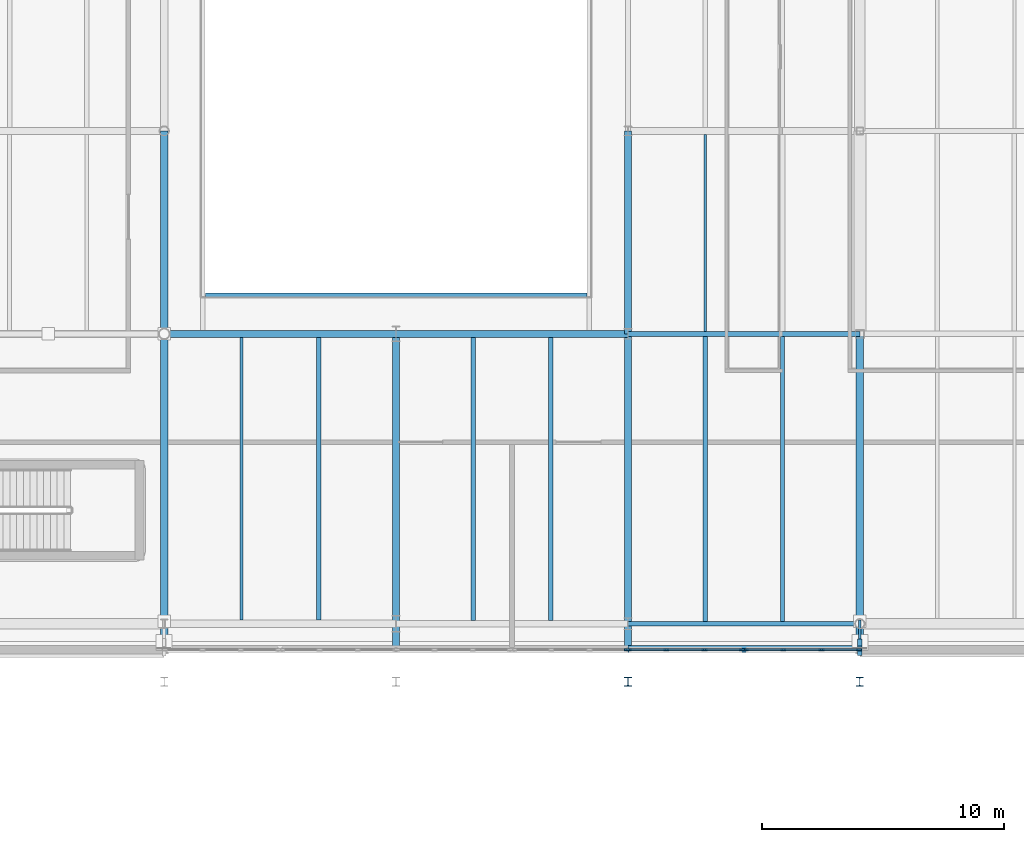
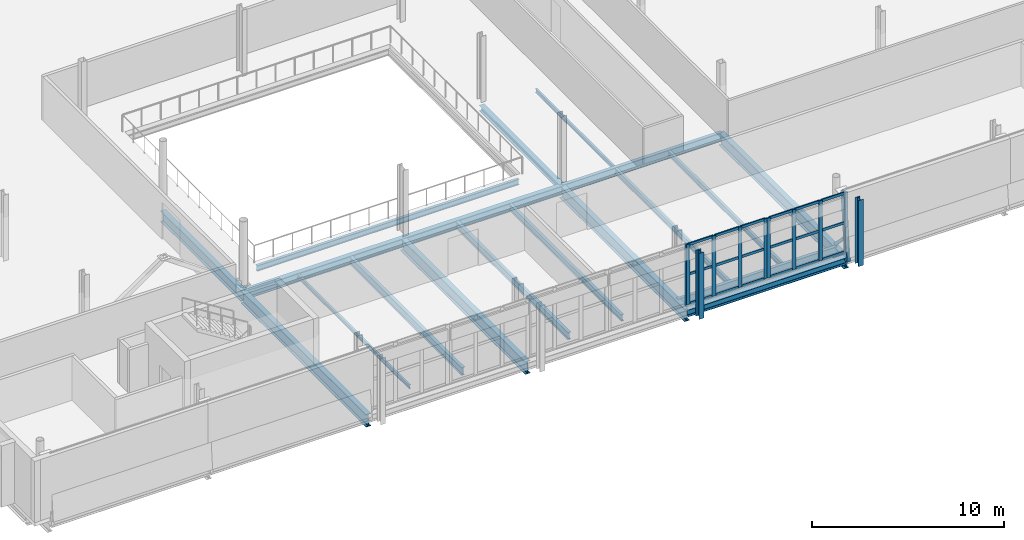
# One storey, part 20 of 57: 31 members, 19 beams, 3 elements without a shape of their own.
"""IFC4 building model written with IfcOpenShell, lengths in metres."""

from ifc_helpers import new_model, si_unit, direction, frame, origin, origin_2d, place, context, subcontext, project, spatial, rectangle, hollow_rectangle, i_section, extrude, material, layer, layer_set, material_profile, profile_set, type_object, element, aggregate, save


model = new_model("IFC4")

# Units and contexts
model_context = context("Model", 3, precision=1e-05, world=origin(), true_north=direction((0.0, 1.0)))
body_context = subcontext(model_context, "Body", "Model", "MODEL_VIEW")
ifc_project = project(units=[si_unit("LENGTHUNIT", "METRE"), si_unit("AREAUNIT", "SQUARE_METRE"), si_unit("VOLUMEUNIT", "CUBIC_METRE"), si_unit("PLANEANGLEUNIT", "RADIAN"), si_unit("MASSUNIT", "GRAM", prefix="KILO")], contexts=[model_context])

# Site, building, storey
site_placement = place(None, origin())
site = spatial("IfcSite", under=ifc_project, at=site_placement, CompositionType="ELEMENT")
building_placement = place(site_placement, origin())
building = spatial("IfcBuilding", under=site, at=building_placement, Name="Zereglee Splitstone Museum", CompositionType="ELEMENT")
storey_placement = place(building_placement, frame((0.0, 0.0, 17.10009765625)))
storey = spatial("IfcBuildingStorey", under=building, at=storey_placement, Name="L03", CompositionType="ELEMENT", Elevation=17.10009765625)

# Curtain wall, member
ifc_material_1 = material(Name="Triple-glazed low-E argon glass and bronze-anodised aluminium", Category="aluminium")
ifc_layer_1 = layer(ifc_material_1, 0.219970703125)
ifc_layer_set_1 = layer_set([ifc_layer_1], Name="Triple-glazed low-E argon glass and bronze-anodised aluminium")
curtain_wall_type_1 = type_object("IfcCurtainWallType", Name="CW-0476-388", PredefinedType="USERDEFINED", material=ifc_layer_set_1)
curtain_wall_1_placement = place(storey_placement, origin())
curtain_wall_1 = element("IfcCurtainWall", 1, at=curtain_wall_1_placement, inside=storey, type_object=curtain_wall_type_1, Name="Glazed Curtain Wall CW-0476-388 (L03)", ObjectType="GLAZED CURTAIN WALL", PredefinedType="USERDEFINED")
ifc_material_2 = material(Name="Thermally broken bronze-anodised aluminium", Category="aluminium")
ifc_material_profile_1 = material_profile(ifc_material_2, rectangle(XDim=0.074951171875, YDim=0.219970703125, at=origin_2d()), Name="CW MULL 75x220")
ifc_profile_set_1 = profile_set([ifc_material_profile_1], Name="Thermally broken bronze-anodised aluminium")
member_type_1 = type_object("IfcMemberType", Name="CWM-02", PredefinedType="MULLION", material=ifc_profile_set_1)
member_1_placement = place(storey_placement, frame((116.362548828125, 8.52001953125, 0.0), z_axis=(0.0, 0.0, 1.0), x_axis=(0.0, 1.0, 0.0)))
member_1 = element("IfcMember", 2, at=member_1_placement, type_object=member_type_1, Name="CW-0476-388 mullion 4", PredefinedType="MULLION", context=body_context, shape_type="SweptSolid", body=[
    extrude(rectangle(XDim=0.074951171875, YDim=0.219970703125, at=origin_2d()), origin(), (0.0, 0.0, 1.0), 3.8798828125),
])
aggregate(curtain_wall_1, [member_1])

# Curtain wall, members
ifc_layer_2 = layer(ifc_material_1, 0.219970703125)
ifc_layer_set_2 = layer_set([ifc_layer_2], Name="Triple-glazed low-E argon glass and bronze-anodised aluminium")
curtain_wall_type_2 = type_object("IfcCurtainWallType", Name="CW-0476-384", PredefinedType="USERDEFINED", material=ifc_layer_set_2)
curtain_wall_2_placement = place(storey_placement, origin())
curtain_wall_2 = element("IfcCurtainWall", 3, at=curtain_wall_2_placement, inside=storey, type_object=curtain_wall_type_2, Name="Glazed Curtain Wall CW-0476-384 (L03)", ObjectType="GLAZED CURTAIN WALL", PredefinedType="USERDEFINED")
member_2_placement = place(storey_placement, frame((116.4375, 8.52001953125, 0.0), z_axis=(0.0, 0.0, 1.0), x_axis=(0.0, 1.0, 0.0)))
member_2 = element("IfcMember", 4, at=member_2_placement, type_object=member_type_1, Name="CW-0476-384 mullion 1", PredefinedType="MULLION", context=body_context, shape_type="SweptSolid", body=[
    extrude(rectangle(XDim=0.074951171875, YDim=0.219970703125, at=origin_2d()), origin(), (0.0, 0.0, 1.0), 3.83984375),
])
member_3_placement = place(storey_placement, frame((117.986572265625, 8.52001953125, 0.0), z_axis=(0.0, 0.0, 1.0), x_axis=(0.0, 1.0, 0.0)))
member_3 = element("IfcMember", 5, at=member_3_placement, type_object=member_type_1, Name="CW-0476-384 mullion 2", PredefinedType="MULLION", context=body_context, shape_type="SweptSolid", body=[
    extrude(rectangle(XDim=0.074951171875, YDim=0.219970703125, at=origin_2d()), origin(), (0.0, 0.0, 1.0), 3.83984375),
])
member_4_placement = place(storey_placement, frame((119.5732421875, 8.52001953125, 0.0), z_axis=(0.0, 0.0, 1.0), x_axis=(0.0, 1.0, 0.0)))
member_4 = element("IfcMember", 6, at=member_4_placement, type_object=member_type_1, Name="CW-0476-384 mullion 3", PredefinedType="MULLION", context=body_context, shape_type="SweptSolid", body=[
    extrude(rectangle(XDim=0.074951171875, YDim=0.219970703125, at=origin_2d()), origin(), (0.0, 0.0, 1.0), 3.83984375),
])
member_5_placement = place(storey_placement, frame((121.12255859375, 8.52001953125, 0.0), z_axis=(0.0, 0.0, 1.0), x_axis=(0.0, 1.0, 0.0)))
member_5 = element("IfcMember", 7, at=member_5_placement, type_object=member_type_1, Name="CW-0476-384 mullion 4", PredefinedType="MULLION", context=body_context, shape_type="SweptSolid", body=[
    extrude(rectangle(XDim=0.074951171875, YDim=0.219970703125, at=origin_2d()), origin(), (0.0, 0.0, 1.0), 3.83984375),
])

ifc_layer_3 = layer(ifc_material_1, 0.219970703125)
ifc_layer_set_3 = layer_set([ifc_layer_3], Name="Triple-glazed low-E argon glass and bronze-anodised aluminium")
curtain_wall_type_3 = type_object("IfcCurtainWallType", Name="CW-0476-382", PredefinedType="USERDEFINED", material=ifc_layer_set_3)
curtain_wall_3_placement = place(storey_placement, origin())
curtain_wall_3 = element("IfcCurtainWall", 8, at=curtain_wall_3_placement, inside=storey, type_object=curtain_wall_type_3, Name="Glazed Curtain Wall CW-0476-382 (L03)", ObjectType="GLAZED CURTAIN WALL", PredefinedType="USERDEFINED")
member_6_placement = place(storey_placement, frame((121.277587890625, 8.52001953125, 0.0), z_axis=(0.0, 0.0, 1.0), x_axis=(0.0, 1.0, 0.0)))
member_6 = element("IfcMember", 9, at=member_6_placement, type_object=member_type_1, Name="CW-0476-382 mullion 1", PredefinedType="MULLION", context=body_context, shape_type="SweptSolid", body=[
    extrude(rectangle(XDim=0.074951171875, YDim=0.219970703125, at=origin_2d()), origin(), (0.0, 0.0, 1.0), 3.81982421875),
])
member_7_placement = place(storey_placement, frame((122.82666015625, 8.52001953125, 0.0), z_axis=(0.0, 0.0, 1.0), x_axis=(0.0, 1.0, 0.0)))
member_7 = element("IfcMember", 10, at=member_7_placement, type_object=member_type_1, Name="CW-0476-382 mullion 2", PredefinedType="MULLION", context=body_context, shape_type="SweptSolid", body=[
    extrude(rectangle(XDim=0.074951171875, YDim=0.219970703125, at=origin_2d()), origin(), (0.0, 0.0, 1.0), 3.81982421875),
])
member_8_placement = place(storey_placement, frame((124.413330078125, 8.52001953125, 0.0), z_axis=(0.0, 0.0, 1.0), x_axis=(0.0, 1.0, 0.0)))
member_8 = element("IfcMember", 11, at=member_8_placement, type_object=member_type_1, Name="CW-0476-382 mullion 3", PredefinedType="MULLION", context=body_context, shape_type="SweptSolid", body=[
    extrude(rectangle(XDim=0.074951171875, YDim=0.219970703125, at=origin_2d()), origin(), (0.0, 0.0, 1.0), 3.81982421875),
])
member_9_placement = place(storey_placement, frame((125.96240234375, 8.52001953125, 0.0), z_axis=(0.0, 0.0, 1.0), x_axis=(0.0, 1.0, 0.0)))
member_9 = element("IfcMember", 12, at=member_9_placement, type_object=member_type_1, Name="CW-0476-382 mullion 4", PredefinedType="MULLION", context=body_context, shape_type="SweptSolid", body=[
    extrude(rectangle(XDim=0.074951171875, YDim=0.219970703125, at=origin_2d()), origin(), (0.0, 0.0, 1.0), 3.81982421875),
])

# Member
ifc_material_profile_2 = material_profile(ifc_material_2, rectangle(XDim=0.074951171875, YDim=0.1650390625, at=origin_2d()), Name="CW TRAN 75x165")
ifc_profile_set_2 = profile_set([ifc_material_profile_2], Name="Thermally broken bronze-anodised aluminium")
member_type_2 = type_object("IfcMemberType", Name="CWT-02", PredefinedType="USERDEFINED", material=ifc_profile_set_2)
member_10_placement = place(storey_placement, frame((116.47509765625, 8.52001953125, 0.037353515625), z_axis=(1.0, 0.0, 0.0), x_axis=(0.0, 1.0, 0.0)))
member_10 = element("IfcMember", 13, at=member_10_placement, type_object=member_type_2, Name="CW-0476-384 transom 1.1", ObjectType="TRANSOM", PredefinedType="USERDEFINED", context=body_context, shape_type="SweptSolid", body=[
    extrude(rectangle(XDim=0.074951171875, YDim=0.1650390625, at=origin_2d()), origin(), (0.0, 0.0, 1.0), 1.47412109375),
])

member_11_placement = place(storey_placement, frame((116.47509765625, 8.52001953125, 1.919921875), z_axis=(1.0, 0.0, 0.0), x_axis=(0.0, 1.0, 0.0)))
member_11 = element("IfcMember", 14, at=member_11_placement, type_object=member_type_2, Name="CW-0476-384 transom 1.2", ObjectType="TRANSOM", PredefinedType="USERDEFINED", context=body_context, shape_type="SweptSolid", body=[
    extrude(rectangle(XDim=0.074951171875, YDim=0.1650390625, at=origin_2d()), origin(), (0.0, 0.0, 1.0), 1.47412109375),
])

member_12_placement = place(storey_placement, frame((116.47509765625, 8.52001953125, 3.802490234375), z_axis=(1.0, 0.0, 0.0), x_axis=(0.0, 1.0, 0.0)))
member_12 = element("IfcMember", 15, at=member_12_placement, type_object=member_type_2, Name="CW-0476-384 transom 1.3", ObjectType="TRANSOM", PredefinedType="USERDEFINED", context=body_context, shape_type="SweptSolid", body=[
    extrude(rectangle(XDim=0.074951171875, YDim=0.1650390625, at=origin_2d()), origin(), (0.0, 0.0, 1.0), 1.47412109375),
])

member_13_placement = place(storey_placement, frame((118.024169921875, 8.52001953125, 0.037353515625), z_axis=(1.0, 0.0, 0.0), x_axis=(0.0, 1.0, 0.0)))
member_13 = element("IfcMember", 16, at=member_13_placement, type_object=member_type_2, Name="CW-0476-384 transom 2.1", ObjectType="TRANSOM", PredefinedType="USERDEFINED", context=body_context, shape_type="SweptSolid", body=[
    extrude(rectangle(XDim=0.074951171875, YDim=0.1650390625, at=origin_2d()), origin(), (0.0, 0.0, 1.0), 1.51171875),
])

member_14_placement = place(storey_placement, frame((118.024169921875, 8.52001953125, 1.919921875), z_axis=(1.0, 0.0, 0.0), x_axis=(0.0, 1.0, 0.0)))
member_14 = element("IfcMember", 17, at=member_14_placement, type_object=member_type_2, Name="CW-0476-384 transom 2.2", ObjectType="TRANSOM", PredefinedType="USERDEFINED", context=body_context, shape_type="SweptSolid", body=[
    extrude(rectangle(XDim=0.074951171875, YDim=0.1650390625, at=origin_2d()), origin(), (0.0, 0.0, 1.0), 1.51171875),
])

member_15_placement = place(storey_placement, frame((118.024169921875, 8.52001953125, 3.802490234375), z_axis=(1.0, 0.0, 0.0), x_axis=(0.0, 1.0, 0.0)))
member_15 = element("IfcMember", 18, at=member_15_placement, type_object=member_type_2, Name="CW-0476-384 transom 2.3", ObjectType="TRANSOM", PredefinedType="USERDEFINED", context=body_context, shape_type="SweptSolid", body=[
    extrude(rectangle(XDim=0.074951171875, YDim=0.1650390625, at=origin_2d()), origin(), (0.0, 0.0, 1.0), 1.51171875),
])

member_16_placement = place(storey_placement, frame((119.61083984375, 8.52001953125, 0.037353515625), z_axis=(1.0, 0.0, 0.0), x_axis=(0.0, 1.0, 0.0)))
member_16 = element("IfcMember", 19, at=member_16_placement, type_object=member_type_2, Name="CW-0476-384 transom 3.1", ObjectType="TRANSOM", PredefinedType="USERDEFINED", context=body_context, shape_type="SweptSolid", body=[
    extrude(rectangle(XDim=0.074951171875, YDim=0.1650390625, at=origin_2d()), origin(), (0.0, 0.0, 1.0), 1.47412109375),
])

member_17_placement = place(storey_placement, frame((119.61083984375, 8.52001953125, 1.919921875), z_axis=(1.0, 0.0, 0.0), x_axis=(0.0, 1.0, 0.0)))
member_17 = element("IfcMember", 20, at=member_17_placement, type_object=member_type_2, Name="CW-0476-384 transom 3.2", ObjectType="TRANSOM", PredefinedType="USERDEFINED", context=body_context, shape_type="SweptSolid", body=[
    extrude(rectangle(XDim=0.074951171875, YDim=0.1650390625, at=origin_2d()), origin(), (0.0, 0.0, 1.0), 1.47412109375),
])

member_18_placement = place(storey_placement, frame((119.61083984375, 8.52001953125, 3.802490234375), z_axis=(1.0, 0.0, 0.0), x_axis=(0.0, 1.0, 0.0)))
member_18 = element("IfcMember", 21, at=member_18_placement, type_object=member_type_2, Name="CW-0476-384 transom 3.3", ObjectType="TRANSOM", PredefinedType="USERDEFINED", context=body_context, shape_type="SweptSolid", body=[
    extrude(rectangle(XDim=0.074951171875, YDim=0.1650390625, at=origin_2d()), origin(), (0.0, 0.0, 1.0), 1.47412109375),
])

aggregate(curtain_wall_2, [member_2, member_3, member_4, member_5, member_10, member_11, member_12, member_13, member_14, member_15, member_16, member_17, member_18])

member_19_placement = place(storey_placement, frame((121.31494140625, 8.52001953125, 0.037353515625), z_axis=(1.0, 0.0, 0.0), x_axis=(0.0, 1.0, 0.0)))
member_19 = element("IfcMember", 22, at=member_19_placement, type_object=member_type_2, Name="CW-0476-382 transom 1.1", ObjectType="TRANSOM", PredefinedType="USERDEFINED", context=body_context, shape_type="SweptSolid", body=[
    extrude(rectangle(XDim=0.074951171875, YDim=0.1650390625, at=origin_2d()), origin(), (0.0, 0.0, 1.0), 1.47412109375),
])

member_20_placement = place(storey_placement, frame((121.31494140625, 8.52001953125, 1.909912109375), z_axis=(1.0, 0.0, 0.0), x_axis=(0.0, 1.0, 0.0)))
member_20 = element("IfcMember", 23, at=member_20_placement, type_object=member_type_2, Name="CW-0476-382 transom 1.2", ObjectType="TRANSOM", PredefinedType="USERDEFINED", context=body_context, shape_type="SweptSolid", body=[
    extrude(rectangle(XDim=0.074951171875, YDim=0.1650390625, at=origin_2d()), origin(), (0.0, 0.0, 1.0), 1.47412109375),
])

member_21_placement = place(storey_placement, frame((121.31494140625, 8.52001953125, 3.782470703125), z_axis=(1.0, 0.0, 0.0), x_axis=(0.0, 1.0, 0.0)))
member_21 = element("IfcMember", 24, at=member_21_placement, type_object=member_type_2, Name="CW-0476-382 transom 1.3", ObjectType="TRANSOM", PredefinedType="USERDEFINED", context=body_context, shape_type="SweptSolid", body=[
    extrude(rectangle(XDim=0.074951171875, YDim=0.1650390625, at=origin_2d()), origin(), (0.0, 0.0, 1.0), 1.47412109375),
])

member_22_placement = place(storey_placement, frame((122.8642578125, 8.52001953125, 0.037353515625), z_axis=(1.0, 0.0, 0.0), x_axis=(0.0, 1.0, 0.0)))
member_22 = element("IfcMember", 25, at=member_22_placement, type_object=member_type_2, Name="CW-0476-382 transom 2.1", ObjectType="TRANSOM", PredefinedType="USERDEFINED", context=body_context, shape_type="SweptSolid", body=[
    extrude(rectangle(XDim=0.074951171875, YDim=0.1650390625, at=origin_2d()), origin(), (0.0, 0.0, 1.0), 1.511474609375),
])

member_23_placement = place(storey_placement, frame((122.8642578125, 8.52001953125, 1.909912109375), z_axis=(1.0, 0.0, 0.0), x_axis=(0.0, 1.0, 0.0)))
member_23 = element("IfcMember", 26, at=member_23_placement, type_object=member_type_2, Name="CW-0476-382 transom 2.2", ObjectType="TRANSOM", PredefinedType="USERDEFINED", context=body_context, shape_type="SweptSolid", body=[
    extrude(rectangle(XDim=0.074951171875, YDim=0.1650390625, at=origin_2d()), origin(), (0.0, 0.0, 1.0), 1.511474609375),
])

member_24_placement = place(storey_placement, frame((122.8642578125, 8.52001953125, 3.782470703125), z_axis=(1.0, 0.0, 0.0), x_axis=(0.0, 1.0, 0.0)))
member_24 = element("IfcMember", 27, at=member_24_placement, type_object=member_type_2, Name="CW-0476-382 transom 2.3", ObjectType="TRANSOM", PredefinedType="USERDEFINED", context=body_context, shape_type="SweptSolid", body=[
    extrude(rectangle(XDim=0.074951171875, YDim=0.1650390625, at=origin_2d()), origin(), (0.0, 0.0, 1.0), 1.511474609375),
])

member_25_placement = place(storey_placement, frame((124.450927734375, 8.52001953125, 0.037353515625), z_axis=(1.0, 0.0, 0.0), x_axis=(0.0, 1.0, 0.0)))
member_25 = element("IfcMember", 28, at=member_25_placement, type_object=member_type_2, Name="CW-0476-382 transom 3.1", ObjectType="TRANSOM", PredefinedType="USERDEFINED", context=body_context, shape_type="SweptSolid", body=[
    extrude(rectangle(XDim=0.074951171875, YDim=0.1650390625, at=origin_2d()), origin(), (0.0, 0.0, 1.0), 1.47412109375),
])

member_26_placement = place(storey_placement, frame((124.450927734375, 8.52001953125, 1.909912109375), z_axis=(1.0, 0.0, 0.0), x_axis=(0.0, 1.0, 0.0)))
member_26 = element("IfcMember", 29, at=member_26_placement, type_object=member_type_2, Name="CW-0476-382 transom 3.2", ObjectType="TRANSOM", PredefinedType="USERDEFINED", context=body_context, shape_type="SweptSolid", body=[
    extrude(rectangle(XDim=0.074951171875, YDim=0.1650390625, at=origin_2d()), origin(), (0.0, 0.0, 1.0), 1.47412109375),
])

member_27_placement = place(storey_placement, frame((124.450927734375, 8.52001953125, 3.782470703125), z_axis=(1.0, 0.0, 0.0), x_axis=(0.0, 1.0, 0.0)))
member_27 = element("IfcMember", 30, at=member_27_placement, type_object=member_type_2, Name="CW-0476-382 transom 3.3", ObjectType="TRANSOM", PredefinedType="USERDEFINED", context=body_context, shape_type="SweptSolid", body=[
    extrude(rectangle(XDim=0.074951171875, YDim=0.1650390625, at=origin_2d()), origin(), (0.0, 0.0, 1.0), 1.47412109375),
])

aggregate(curtain_wall_3, [member_6, member_7, member_8, member_9, member_19, member_20, member_21, member_22, member_23, member_24, member_25, member_26, member_27])

# Members
ifc_material_3 = material(Name="Steel S355J2", Category="steel")
ifc_material_profile_3 = material_profile(ifc_material_3, i_section(OverallWidth=0.300048828125, OverallDepth=0.360107421875, WebThickness=0.012451171875, FlangeThickness=0.0224609375, FilletRadius=0.027099609375, at=origin_2d()), Name="HE 360 B")
ifc_profile_set_3 = profile_set([ifc_material_profile_3], Name="Steel S355J2")
member_type_3 = type_object("IfcMemberType", Name="TC-06", PredefinedType="CHORD", material=ifc_profile_set_3)
for number, where, z_axis, x_axis, name in (
    (31, (116.39990234375, 7.199951171875, 0.0), (0.0, 0.0, 1.0), (1.0, 0.0, 0.0), "Mughal Guldasta Hovering Portal Pier G07 L03"),
    (32, (126.0, 7.199951171875, 0.0), (0.0, 0.0, 1.0), (1.0, 0.0, 0.0), "Mughal Guldasta Hovering Portal Pier G08 L03"),
):
    element("IfcMember", number, at=place(storey_placement, frame(where, z_axis=z_axis, x_axis=x_axis)), inside=storey, type_object=member_type_3, Name=name, PredefinedType="CHORD", context=body_context, shape_type="SweptSolid", body=[
        extrude(i_section(OverallWidth=0.300048828125, OverallDepth=0.360107421875, WebThickness=0.012451171875, FlangeThickness=0.0224609375, FilletRadius=0.027099609375, at=origin_2d()), origin(), (0.0, 0.0, 1.0), 4.199951171875),
    ])

# Beams
ifc_material_profile_4 = material_profile(ifc_material_3, i_section(OverallWidth=0.300048828125, OverallDepth=0.360107421875, WebThickness=0.012451171875, FlangeThickness=0.0224609375, FilletRadius=0.027099609375, at=origin_2d()), Name="HE 360 B")
ifc_profile_set_4 = profile_set([ifc_material_profile_4], Name="Steel S355J2")
beam_type_1 = type_object("IfcBeamType", Name="BG-14", PredefinedType="BEAM", material=ifc_profile_set_4)
beam_1_placement = place(storey_placement, frame((116.39990234375, 21.60009765625, -0.460205078125), z_axis=(0.0, 1.0, 0.0), x_axis=(-1.0, 0.0, 0.0)))
element("IfcBeam", 33, at=beam_1_placement, inside=storey, type_object=beam_type_1, Name="Primary Girder L03 14 (21.6-30.0)", PredefinedType="BEAM", context=body_context, shape_type="SweptSolid", body=[
    extrude(i_section(OverallWidth=0.300048828125, OverallDepth=0.360107421875, WebThickness=0.012451171875, FlangeThickness=0.0224609375, FilletRadius=0.027099609375, at=origin_2d()), origin(), (0.0, 0.0, 1.0), 8.39990234375),
])
ifc_material_profile_5 = material_profile(ifc_material_3, i_section(OverallWidth=0.300048828125, OverallDepth=0.550048828125, WebThickness=0.014892578125, FlangeThickness=0.029052734375, FilletRadius=0.027099609375, at=origin_2d()), Name="HE 550 B")
ifc_profile_set_5 = profile_set([ifc_material_profile_5], Name="Steel S355J2")
beam_type_2 = type_object("IfcBeamType", Name="BG-11", PredefinedType="BEAM", material=ifc_profile_set_5)
beam_2_placement = place(storey_placement, frame((97.199951171875, 21.60009765625, -0.55517578125), z_axis=(1.0, 0.0, 0.0), x_axis=(0.0, 1.0, 0.0)))
element("IfcBeam", 34, at=beam_2_placement, inside=storey, type_object=beam_type_2, Name="Primary Girder L03 C (97.2-106.8)", PredefinedType="BEAM", context=body_context, shape_type="SweptSolid", body=[
    extrude(i_section(OverallWidth=0.300048828125, OverallDepth=0.550048828125, WebThickness=0.014892578125, FlangeThickness=0.029052734375, FilletRadius=0.027099609375, at=origin_2d()), origin(), (0.0, 0.0, 1.0), 9.60009765625),
])
beam_3_placement = place(storey_placement, frame((106.800048828125, 21.60009765625, -0.55517578125), z_axis=(1.0, 0.0, 0.0), x_axis=(0.0, 1.0, 0.0)))
element("IfcBeam", 35, at=beam_3_placement, inside=storey, type_object=beam_type_2, Name="Primary Girder L03 C (106.8-116.4)", PredefinedType="BEAM", context=body_context, shape_type="SweptSolid", body=[
    extrude(i_section(OverallWidth=0.300048828125, OverallDepth=0.550048828125, WebThickness=0.014892578125, FlangeThickness=0.029052734375, FilletRadius=0.027099609375, at=origin_2d()), origin(), (0.0, 0.0, 1.0), 9.599853515625),
])
ifc_material_profile_6 = material_profile(ifc_material_3, i_section(OverallWidth=0.300048828125, OverallDepth=0.699951171875, WebThickness=0.01708984375, FlangeThickness=0.031982421875, FilletRadius=0.027099609375, at=origin_2d()), Name="HE 700 B")
ifc_profile_set_6 = profile_set([ifc_material_profile_6], Name="Steel S355J2")
beam_type_3 = type_object("IfcBeamType", Name="BG-08", PredefinedType="BEAM", material=ifc_profile_set_6)
beam_4_placement = place(storey_placement, frame((97.199951171875, 21.60009765625, -0.630126953125), z_axis=(0.0, 1.0, 0.0), x_axis=(-1.0, 0.0, 0.0)))
element("IfcBeam", 36, at=beam_4_placement, inside=storey, type_object=beam_type_3, Name="Primary Girder L03 12 (21.6-30.0)", PredefinedType="BEAM", context=body_context, shape_type="SweptSolid", body=[
    extrude(i_section(OverallWidth=0.300048828125, OverallDepth=0.699951171875, WebThickness=0.01708984375, FlangeThickness=0.031982421875, FilletRadius=0.027099609375, at=origin_2d()), origin(), (0.0, 0.0, 1.0), 8.39990234375),
])
ifc_material_profile_7 = material_profile(ifc_material_3, i_section(OverallWidth=0.300048828125, OverallDepth=0.800048828125, WebThickness=0.017578125, FlangeThickness=0.032958984375, FilletRadius=0.030029296875, at=origin_2d()), Name="HE 800 B")
ifc_profile_set_7 = profile_set([ifc_material_profile_7], Name="Steel S355J2")
beam_type_4 = type_object("IfcBeamType", Name="BG-07", PredefinedType="BEAM", material=ifc_profile_set_7)
for number, where, z_axis, x_axis, name in (
    (37, (97.199951171875, 8.550048828125, -0.68017578125), (0.0, 1.0, 0.0), (-1.0, 0.0, 0.0), "Primary Girder L03 12 (8.6-21.6)"),
    (38, (106.800048828125, 8.550048828125, -0.68017578125), (0.0, 1.0, 0.0), (-1.0, 0.0, 0.0), "Primary Girder L03 13 (8.6-21.6)"),
    (39, (116.39990234375, 8.550048828125, -0.68017578125), (0.0, 1.0, 0.0), (-1.0, 0.0, 0.0), "Primary Girder L03 14 (8.6-21.6)"),
    (40, (126.0, 8.550048828125, -0.68017578125), (0.0, 1.0, 0.0), (-1.0, 0.0, 0.0), "Primary Girder L03 15 (8.6-21.6)"),
):
    element("IfcBeam", number, at=place(storey_placement, frame(where, z_axis=z_axis, x_axis=x_axis)), inside=storey, type_object=beam_type_4, Name=name, PredefinedType="BEAM", context=body_context, shape_type="SweptSolid", body=[
        extrude(i_section(OverallWidth=0.300048828125, OverallDepth=0.800048828125, WebThickness=0.017578125, FlangeThickness=0.032958984375, FilletRadius=0.030029296875, at=origin_2d()), origin(), (0.0, 0.0, 1.0), 13.050048828125),
    ])
ifc_material_profile_8 = material_profile(ifc_material_3, i_section(OverallWidth=0.2099609375, OverallDepth=0.550048828125, WebThickness=0.010986328125, FlangeThickness=0.01708984375, FilletRadius=0.02392578125, at=origin_2d()), Name="IPE 550")
ifc_profile_set_8 = profile_set([ifc_material_profile_8], Name="Steel S355J2")
beam_type_5 = type_object("IfcBeamType", Name="BG-16", PredefinedType="BEAM", material=ifc_profile_set_8)
beam_5_placement = place(storey_placement, frame((116.39990234375, 21.60009765625, -0.55517578125), z_axis=(1.0, 0.0, 0.0), x_axis=(0.0, 1.0, 0.0)))
element("IfcBeam", 41, at=beam_5_placement, inside=storey, type_object=beam_type_5, Name="Primary Girder L03 C (116.4-126.0)", PredefinedType="BEAM", context=body_context, shape_type="SweptSolid", body=[
    extrude(i_section(OverallWidth=0.2099609375, OverallDepth=0.550048828125, WebThickness=0.010986328125, FlangeThickness=0.01708984375, FilletRadius=0.02392578125, at=origin_2d()), origin(), (0.0, 0.0, 1.0), 9.60009765625),
])
ifc_material_profile_9 = material_profile(ifc_material_3, i_section(OverallWidth=0.1201171875, OverallDepth=0.239990234375, WebThickness=0.006103515625, FlangeThickness=0.009765625, FilletRadius=0.014892578125, at=origin_2d()), Name="IPE 240")
ifc_profile_set_9 = profile_set([ifc_material_profile_9], Name="Steel S355J2")
beam_type_6 = type_object("IfcBeamType", Name="BJ-07", PredefinedType="JOIST", material=ifc_profile_set_9)
beam_6_placement = place(storey_placement, frame((100.39990234375, 9.75, -0.400146484375), z_axis=(0.0, 1.0, 0.0), x_axis=(-1.0, 0.0, 0.0)))
element("IfcBeam", 42, at=beam_6_placement, inside=storey, type_object=beam_type_6, Name="Secondary Floor Joist L03-1322", PredefinedType="JOIST", context=body_context, shape_type="SweptSolid", body=[
    extrude(i_section(OverallWidth=0.1201171875, OverallDepth=0.239990234375, WebThickness=0.006103515625, FlangeThickness=0.009765625, FilletRadius=0.014892578125, at=origin_2d()), origin(), (0.0, 0.0, 1.0), 11.699951171875),
])
beam_7_placement = place(storey_placement, frame((119.60009765625, 21.705078125, -0.400146484375), z_axis=(0.0, 1.0, 0.0), x_axis=(-1.0, 0.0, 0.0)))
element("IfcBeam", 43, at=beam_7_placement, inside=storey, type_object=beam_type_6, Name="Secondary Floor Joist L03-1350", PredefinedType="JOIST", context=body_context, shape_type="SweptSolid", body=[
    extrude(i_section(OverallWidth=0.1201171875, OverallDepth=0.239990234375, WebThickness=0.006103515625, FlangeThickness=0.009765625, FilletRadius=0.014892578125, at=origin_2d()), origin(), (0.0, 0.0, 1.0), 8.14501953125),
])
ifc_material_profile_10 = material_profile(ifc_material_3, i_section(OverallWidth=0.159912109375, OverallDepth=0.330078125, WebThickness=0.007568359375, FlangeThickness=0.011474609375, FilletRadius=0.01806640625, at=origin_2d()), Name="IPE 330")
ifc_profile_set_10 = profile_set([ifc_material_profile_10], Name="Steel S355J2")
beam_type_7 = type_object("IfcBeamType", Name="BJ-05", PredefinedType="JOIST", material=ifc_profile_set_10)
beam_8_placement = place(storey_placement, frame((122.800048828125, 9.699951171875, -0.445068359375), z_axis=(0.0, 1.0, 0.0), x_axis=(-1.0, 0.0, 0.0)))
element("IfcBeam", 44, at=beam_8_placement, inside=storey, type_object=beam_type_7, Name="Secondary Floor Joist L03-1327", PredefinedType="JOIST", context=body_context, shape_type="SweptSolid", body=[
    extrude(i_section(OverallWidth=0.159912109375, OverallDepth=0.330078125, WebThickness=0.007568359375, FlangeThickness=0.011474609375, FilletRadius=0.01806640625, at=origin_2d()), origin(), (0.0, 0.0, 1.0), 11.795166015625),
])
ifc_material_profile_11 = material_profile(ifc_material_3, i_section(OverallWidth=0.169921875, OverallDepth=0.360107421875, WebThickness=0.008056640625, FlangeThickness=0.0126953125, FilletRadius=0.01806640625, at=origin_2d()), Name="IPE 360")
ifc_profile_set_11 = profile_set([ifc_material_profile_11], Name="Steel S355J2")
beam_type_8 = type_object("IfcBeamType", Name="BJ-04", PredefinedType="JOIST", material=ifc_profile_set_11)
beam_9_placement = place(storey_placement, frame((119.60009765625, 9.699951171875, -0.460205078125), z_axis=(0.0, 1.0, 0.0), x_axis=(-1.0, 0.0, 0.0)))
element("IfcBeam", 45, at=beam_9_placement, inside=storey, type_object=beam_type_8, Name="Secondary Floor Joist L03-1326", PredefinedType="JOIST", context=body_context, shape_type="SweptSolid", body=[
    extrude(i_section(OverallWidth=0.169921875, OverallDepth=0.360107421875, WebThickness=0.008056640625, FlangeThickness=0.0126953125, FilletRadius=0.01806640625, at=origin_2d()), origin(), (0.0, 0.0, 1.0), 11.795166015625),
])
beam_10_placement = place(storey_placement, frame((98.89990234375, 23.199951171875, -0.460205078125), z_axis=(1.0, 0.0, 0.0), x_axis=(0.0, 1.0, 0.0)))
element("IfcBeam", 46, at=beam_10_placement, inside=storey, type_object=beam_type_8, Name="Atrium Rim Beam L03 S", PredefinedType="JOIST", context=body_context, shape_type="SweptSolid", body=[
    extrude(i_section(OverallWidth=0.169921875, OverallDepth=0.360107421875, WebThickness=0.008056640625, FlangeThickness=0.0126953125, FilletRadius=0.01806640625, at=origin_2d()), origin(), (0.0, 0.0, 1.0), 15.800048828125),
])
ifc_material_profile_12 = material_profile(ifc_material_3, i_section(OverallWidth=0.179931640625, OverallDepth=0.39990234375, WebThickness=0.008544921875, FlangeThickness=0.013427734375, FilletRadius=0.02099609375, at=origin_2d()), Name="IPE 400")
ifc_profile_set_12 = profile_set([ifc_material_profile_12], Name="Steel S355J2")
beam_type_9 = type_object("IfcBeamType", Name="BJ-03", PredefinedType="JOIST", material=ifc_profile_set_12)
beam_11_placement = place(storey_placement, frame((113.199951171875, 9.739990234375, -0.47998046875), z_axis=(0.0, 1.0, 0.0), x_axis=(-1.0, 0.0, 0.0)))
element("IfcBeam", 47, at=beam_11_placement, inside=storey, type_object=beam_type_9, Name="Secondary Floor Joist L03-1325", PredefinedType="JOIST", context=body_context, shape_type="SweptSolid", body=[
    extrude(i_section(OverallWidth=0.179931640625, OverallDepth=0.39990234375, WebThickness=0.008544921875, FlangeThickness=0.013427734375, FilletRadius=0.02099609375, at=origin_2d()), origin(), (0.0, 0.0, 1.0), 11.7099609375),
])
ifc_material_profile_13 = material_profile(ifc_material_3, i_section(OverallWidth=0.18994140625, OverallDepth=0.449951171875, WebThickness=0.009521484375, FlangeThickness=0.0146484375, FilletRadius=0.02099609375, at=origin_2d()), Name="IPE 450")
ifc_profile_set_13 = profile_set([ifc_material_profile_13], Name="Steel S355J2")
beam_type_10 = type_object("IfcBeamType", Name="BJ-02", PredefinedType="JOIST", material=ifc_profile_set_13)
beam_12_placement = place(storey_placement, frame((110.0, 9.739990234375, -0.505126953125), z_axis=(0.0, 1.0, 0.0), x_axis=(-1.0, 0.0, 0.0)))
element("IfcBeam", 48, at=beam_12_placement, inside=storey, type_object=beam_type_10, Name="Secondary Floor Joist L03-1324", PredefinedType="JOIST", context=body_context, shape_type="SweptSolid", body=[
    extrude(i_section(OverallWidth=0.18994140625, OverallDepth=0.449951171875, WebThickness=0.009521484375, FlangeThickness=0.0146484375, FilletRadius=0.02099609375, at=origin_2d()), origin(), (0.0, 0.0, 1.0), 11.7099609375),
])
ifc_material_profile_14 = material_profile(ifc_material_3, i_section(OverallWidth=0.199951171875, OverallDepth=0.5, WebThickness=0.01025390625, FlangeThickness=0.01611328125, FilletRadius=0.02099609375, at=origin_2d()), Name="IPE 500")
ifc_profile_set_14 = profile_set([ifc_material_profile_14], Name="Steel S355J2")
beam_type_11 = type_object("IfcBeamType", Name="BJ-01", PredefinedType="JOIST", material=ifc_profile_set_14)
beam_13_placement = place(storey_placement, frame((103.60009765625, 9.75, -0.530029296875), z_axis=(0.0, 1.0, 0.0), x_axis=(-1.0, 0.0, 0.0)))
element("IfcBeam", 49, at=beam_13_placement, inside=storey, type_object=beam_type_11, Name="Secondary Floor Joist L03-1323", PredefinedType="JOIST", context=body_context, shape_type="SweptSolid", body=[
    extrude(i_section(OverallWidth=0.199951171875, OverallDepth=0.5, WebThickness=0.01025390625, FlangeThickness=0.01611328125, FilletRadius=0.02099609375, at=origin_2d()), origin(), (0.0, 0.0, 1.0), 11.699951171875),
])
ifc_material_profile_15 = material_profile(ifc_material_3, i_section(OverallWidth=0.300048828125, OverallDepth=0.449951171875, WebThickness=0.013916015625, FlangeThickness=0.02587890625, FilletRadius=0.027099609375, at=origin_2d()), Name="HE 450 B")
ifc_profile_set_15 = profile_set([ifc_material_profile_15], Name="Steel S355J2")
beam_type_12 = type_object("IfcBeamType", Name="SP-02", PredefinedType="SPANDREL", material=ifc_profile_set_15)
beam_14_placement = place(storey_placement, frame((116.39990234375, 8.550048828125, -0.505126953125), z_axis=(1.0, 0.0, 0.0), x_axis=(0.0, 1.0, 0.0)))
element("IfcBeam", 50, at=beam_14_placement, inside=storey, type_object=beam_type_12, Name="Hovering Soffit Spandrel L03 (116.4-126.0)", PredefinedType="SPANDREL", context=body_context, shape_type="SweptSolid", body=[
    extrude(i_section(OverallWidth=0.300048828125, OverallDepth=0.449951171875, WebThickness=0.013916015625, FlangeThickness=0.02587890625, FilletRadius=0.027099609375, at=origin_2d()), origin(), (0.0, 0.0, 1.0), 9.60009765625),
])
ifc_material_4 = material(Name="Steel S355J2H", Category="steel")
ifc_material_profile_16 = material_profile(ifc_material_4, hollow_rectangle(XDim=0.199951171875, YDim=0.39990234375, WallThickness=0.01611328125, at=origin_2d()), Name="RHS 400x200x16")
ifc_profile_set_16 = profile_set([ifc_material_profile_16], Name="Steel S355J2H")
beam_type_13 = type_object("IfcBeamType", Name="SP-04", PredefinedType="SPANDREL", material=ifc_profile_set_16)
beam_15_placement = place(storey_placement, frame((116.39990234375, 9.60009765625, -0.47998046875), z_axis=(1.0, 0.0, 0.0), x_axis=(0.0, 1.0, 0.0)))
element("IfcBeam", 51, at=beam_15_placement, inside=storey, type_object=beam_type_13, Name="Primary Girder L03 B (116.4-126.0)", PredefinedType="SPANDREL", context=body_context, shape_type="SweptSolid", body=[
    extrude(hollow_rectangle(XDim=0.199951171875, YDim=0.39990234375, WallThickness=0.01611328125, at=origin_2d()), origin(), (0.0, 0.0, 1.0), 9.60009765625),
])

# Members
ifc_material_profile_17 = material_profile(ifc_material_4, hollow_rectangle(XDim=0.199951171875, YDim=0.300048828125, WallThickness=0.012451171875, at=origin_2d()), Name="RHS 300x200x12.5")
ifc_profile_set_17 = profile_set([ifc_material_profile_17], Name="Steel S355J2H")
member_type_4 = type_object("IfcMemberType", Name="FS-R1", PredefinedType="STRUT", material=ifc_profile_set_17)
member_28_placement = place(storey_placement, frame((126.0, 8.43798828125, -0.530029296875), z_axis=(0.0, 0.090914953193, 0.995858660296), x_axis=(-1.0, 0.0, 0.0)))
element("IfcMember", 52, at=member_28_placement, inside=storey, type_object=member_type_4, Name="Split-Rock Continuous Facet Strut FH-V2SE L03-01", PredefinedType="STRUT", context=body_context, shape_type="SweptSolid", body=[
    extrude(hollow_rectangle(XDim=0.199951171875, YDim=0.300048828125, WallThickness=0.012451171875, at=origin_2d()), origin(), (0.0, 0.0, 1.0), 4.237548828125),
])
ifc_material_profile_18 = material_profile(ifc_material_4, hollow_rectangle(XDim=0.10009765625, YDim=0.179931640625, WallThickness=0.008056640625, at=origin_2d()), Name="RHS 180x100x8")
ifc_profile_set_18 = profile_set([ifc_material_profile_18], Name="Steel S355J2H")
member_type_5 = type_object("IfcMemberType", Name="FS-T2", PredefinedType="STRUT", material=ifc_profile_set_18)
member_29_placement = place(storey_placement, frame((126.0, 9.699951171875, -0.239990234375), z_axis=(0.0, -0.697696119972, 0.71639383315), x_axis=(1.0, 0.0, 0.0)))
element("IfcMember", 53, at=member_29_placement, inside=storey, type_object=member_type_5, Name="Facet Tie-Back Strut FH-V2SE L03-01", PredefinedType="STRUT", context=body_context, shape_type="SweptSolid", body=[
    extrude(hollow_rectangle(XDim=0.10009765625, YDim=0.179931640625, WallThickness=0.008056640625, at=origin_2d()), origin(), (0.0, 0.0, 1.0), 1.619140625),
])

save(model, "model.ifc")
